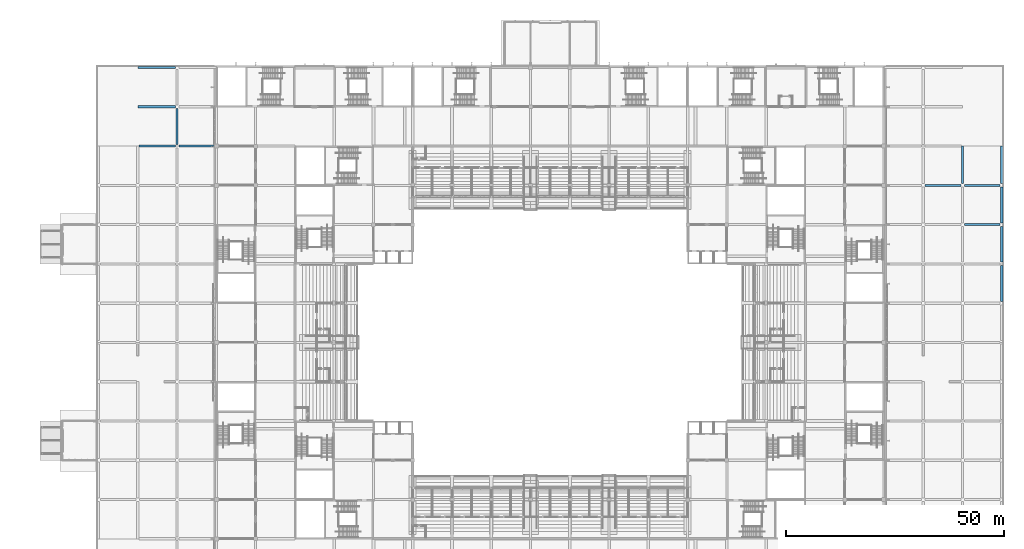
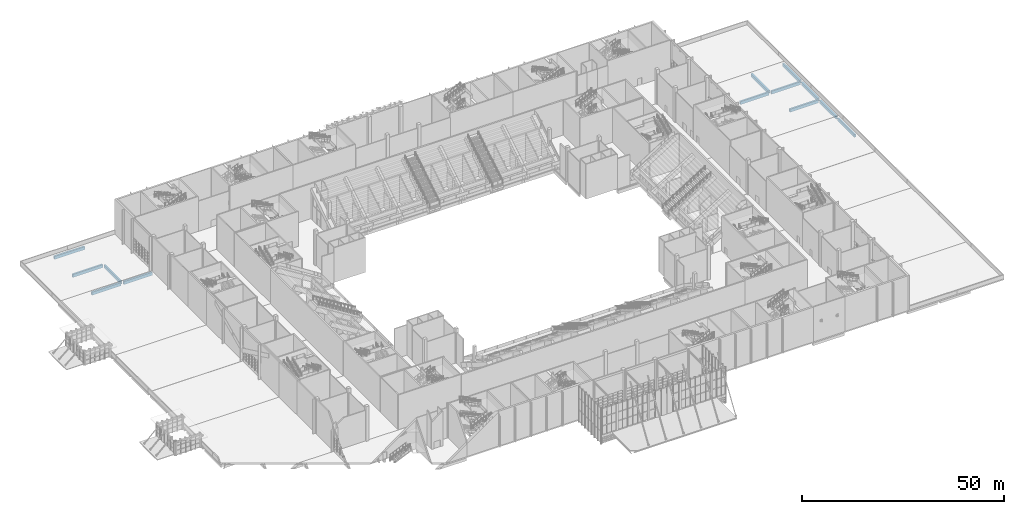
# One storey, part 55 of 182: 13 beams.
"""IFC4 building model written with IfcOpenShell, lengths in metres."""

from ifc_helpers import new_model, si_unit, direction, frame, origin, origin_2d, place, context, subcontext, project, spatial, rectangle, extrude, material, material_profile, profile_set, type_object, element, save


model = new_model("IFC4")

# Units and contexts
model_context = context("Model", 3, precision=1e-05, world=origin(), true_north=direction((0.0, 1.0)))
body_context = subcontext(model_context, "Body", "Model", "MODEL_VIEW")
ifc_project = project(units=[si_unit("LENGTHUNIT", "METRE"), si_unit("AREAUNIT", "SQUARE_METRE"), si_unit("VOLUMEUNIT", "CUBIC_METRE"), si_unit("PLANEANGLEUNIT", "RADIAN"), si_unit("MASSUNIT", "GRAM", prefix="KILO")], contexts=[model_context])

# Site, building, storey
site_placement = place(None, origin())
site = spatial("IfcSite", under=ifc_project, at=site_placement, CompositionType="ELEMENT")
building_placement = place(site_placement, origin())
building = spatial("IfcBuilding", under=site, at=building_placement, Name="Silverbay Arena", CompositionType="ELEMENT")
storey_placement = place(building_placement, frame((0.0, 0.0, 11.5)))
storey = spatial("IfcBuildingStorey", under=building, at=storey_placement, Name="L02", CompositionType="ELEMENT", Elevation=11.5)

# Beams
ifc_material = material(Name="Concrete Grade C45", Category="concrete")
ifc_material_profile = material_profile(ifc_material, rectangle(XDim=0.5, YDim=0.89990234375, at=origin_2d()), Name="RC 500x900")
ifc_profile_set = profile_set([ifc_material_profile], Name="Concrete Grade C45")
beam_type = type_object("IfcBeamType", Name="RC beam 500x900", PredefinedType="BEAM", material=ifc_profile_set)
for number, where, z_axis, x_axis, name in (
    (1, (225.39990234375, 108.0, -0.800048828125), (1.0, 0.0, 0.0), (0.0, 1.0, 0.0), "Floor beam L02 135"),
    (2, (216.39990234375, 117.0, -0.800048828125), (1.0, 0.0, 0.0), (0.0, 1.0, 0.0), "Floor beam L02 153"),
    (3, (225.39990234375, 117.0, -0.800048828125), (1.0, 0.0, 0.0), (0.0, 1.0, 0.0), "Floor beam L02 154"),
):
    element("IfcBeam", number, at=place(storey_placement, frame(where, z_axis=z_axis, x_axis=x_axis)), inside=storey, type_object=beam_type, Name=name, PredefinedType="BEAM", context=body_context, shape_type="SweptSolid", body=[
        extrude(rectangle(XDim=0.5, YDim=0.89990234375, at=origin_2d()), origin(), (0.0, 0.0, 1.0), 8.2001953125),
    ])
beam_1_placement = place(storey_placement, frame((36.25, 126.0, -0.800048828125), z_axis=(1.0, 0.0, 0.0), x_axis=(0.0, 1.0, 0.0)))
element("IfcBeam", 4, at=beam_1_placement, inside=storey, type_object=beam_type, Name="Floor beam L02 155", PredefinedType="BEAM", context=body_context, shape_type="SweptSolid", body=[
    extrude(rectangle(XDim=0.5, YDim=0.89990234375, at=origin_2d()), origin(), (0.0, 0.0, 1.0), 8.35009765625),
])
beam_2_placement = place(storey_placement, frame((45.39990234375, 126.0, -0.800048828125), z_axis=(1.0, 0.0, 0.0), x_axis=(0.0, 1.0, 0.0)))
element("IfcBeam", 5, at=beam_2_placement, inside=storey, type_object=beam_type, Name="Floor beam L02 156", PredefinedType="BEAM", context=body_context, shape_type="SweptSolid", body=[
    extrude(rectangle(XDim=0.5, YDim=0.89990234375, at=origin_2d()), origin(), (0.0, 0.0, 1.0), 8.150146484375),
])
for number, where, z_axis, x_axis, name in (
    (6, (36.0, 135.0, -0.800048828125), (1.0, 0.0, 0.0), (0.0, 1.0, 0.0), "Floor beam L02 163"),
    (7, (36.0, 144.0, -0.800048828125), (1.0, 0.0, 0.0), (0.0, 1.0, 0.0), "Floor beam L02 172"),
):
    element("IfcBeam", number, at=place(storey_placement, frame(where, z_axis=z_axis, x_axis=x_axis)), inside=storey, type_object=beam_type, Name=name, PredefinedType="BEAM", context=body_context, shape_type="SweptSolid", body=[
        extrude(rectangle(XDim=0.5, YDim=0.89990234375, at=origin_2d()), origin(), (0.0, 0.0, 1.0), 8.60009765625),
    ])
beam_3_placement = place(storey_placement, frame((45.0, 126.39990234375, -0.800048828125), z_axis=(0.0, 1.0, 0.0), x_axis=(-1.0, 0.0, 0.0)))
element("IfcBeam", 8, at=beam_3_placement, inside=storey, type_object=beam_type, Name="Floor beam L02 213", PredefinedType="BEAM", context=body_context, shape_type="SweptSolid", body=[
    extrude(rectangle(XDim=0.5, YDim=0.89990234375, at=origin_2d()), origin(), (0.0, 0.0, 1.0), 8.2001953125),
])
beam_4_placement = place(storey_placement, frame((225.0, 117.39990234375, -0.800048828125), z_axis=(0.0, 1.0, 0.0), x_axis=(-1.0, 0.0, 0.0)))
element("IfcBeam", 9, at=beam_4_placement, inside=storey, type_object=beam_type, Name="Floor beam L02 354", PredefinedType="BEAM", context=body_context, shape_type="SweptSolid", body=[
    extrude(rectangle(XDim=0.5, YDim=0.89990234375, at=origin_2d()), origin(), (0.0, 0.0, 1.0), 8.60009765625),
])
for number, where, z_axis, x_axis, name in (
    (10, (234.0, 90.39990234375, -0.800048828125), (0.0, 1.0, 0.0), (-1.0, 0.0, 0.0), "Floor beam L02 361"),
    (11, (234.0, 99.39990234375, -0.800048828125), (0.0, 1.0, 0.0), (-1.0, 0.0, 0.0), "Floor beam L02 362"),
    (12, (234.0, 108.39990234375, -0.800048828125), (0.0, 1.0, 0.0), (-1.0, 0.0, 0.0), "Floor beam L02 363"),
):
    element("IfcBeam", number, at=place(storey_placement, frame(where, z_axis=z_axis, x_axis=x_axis)), inside=storey, type_object=beam_type, Name=name, PredefinedType="BEAM", context=body_context, shape_type="SweptSolid", body=[
        extrude(rectangle(XDim=0.5, YDim=0.89990234375, at=origin_2d()), origin(), (0.0, 0.0, 1.0), 8.2001953125),
    ])
beam_5_placement = place(storey_placement, frame((234.0, 117.39990234375, -0.800048828125), z_axis=(0.0, 1.0, 0.0), x_axis=(-1.0, 0.0, 0.0)))
element("IfcBeam", 13, at=beam_5_placement, inside=storey, type_object=beam_type, Name="Floor beam L02 364", PredefinedType="BEAM", context=body_context, shape_type="SweptSolid", body=[
    extrude(rectangle(XDim=0.5, YDim=0.89990234375, at=origin_2d()), origin(), (0.0, 0.0, 1.0), 8.60009765625),
])

save(model, "model.ifc")
